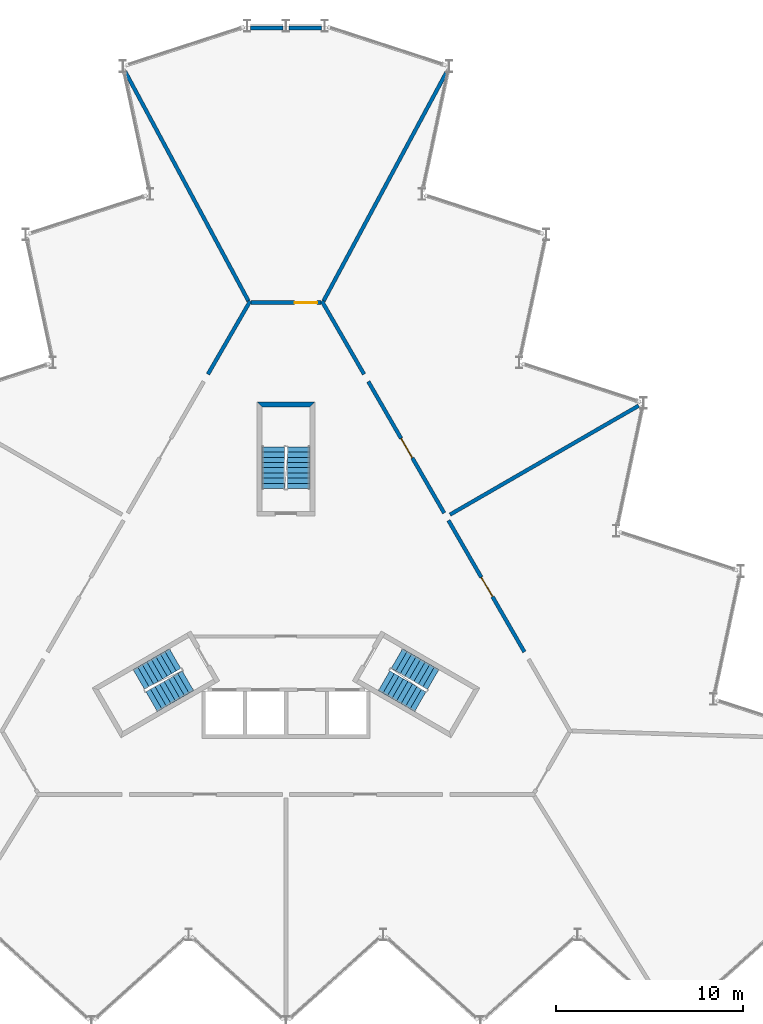
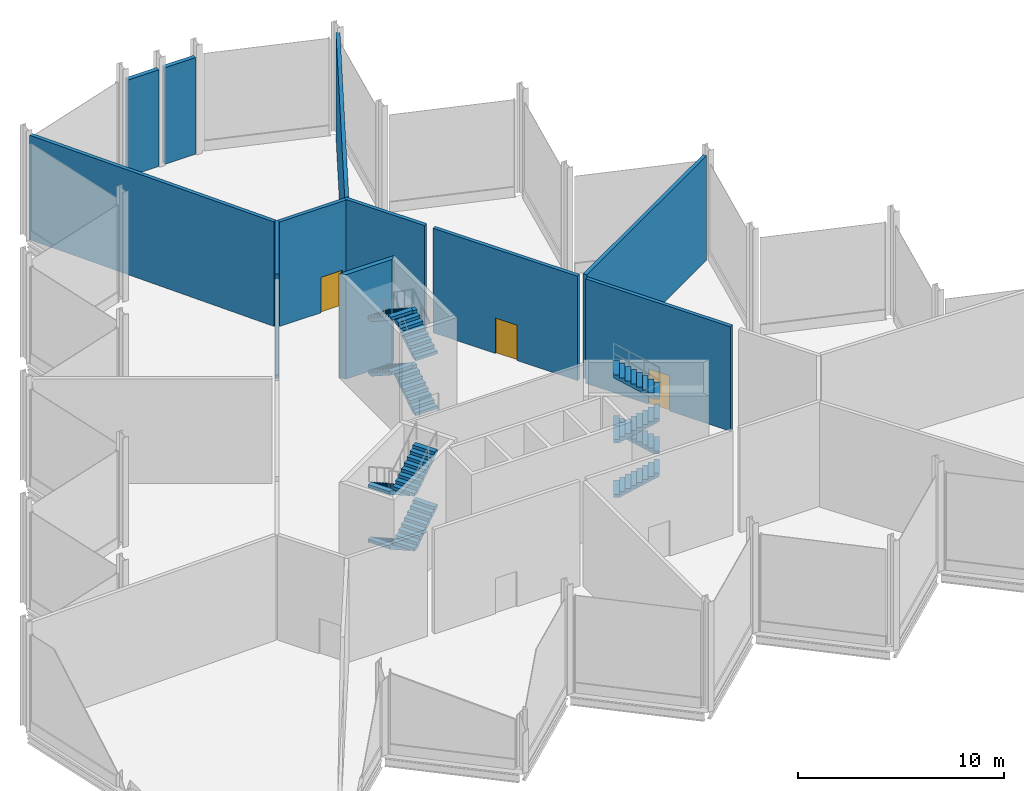
# One storey, part 11 of 12: 12 stair flights, 11 walls, 3 doors, 3 openings, 3 elements without a shape of their own.
"""IFC4 building model written with IfcOpenShell, lengths in metres."""

from ifc_helpers import new_model, si_unit, direction, frame, frame_2d, origin, place, context, subcontext, project, spatial, polyline, rectangle, outline, extrude, material, layer, layer_set, type_object, element, fill, aggregate, save


model = new_model("IFC4")

# Units and contexts
model_context = context("Model", 3, precision=1e-05, world=origin(), true_north=direction((0.0, 1.0)))
body_context = subcontext(model_context, "Body", "Model", "MODEL_VIEW")
ifc_project = project(units=[si_unit("LENGTHUNIT", "METRE"), si_unit("AREAUNIT", "SQUARE_METRE"), si_unit("VOLUMEUNIT", "CUBIC_METRE"), si_unit("PLANEANGLEUNIT", "RADIAN"), si_unit("MASSUNIT", "GRAM", prefix="KILO")], contexts=[model_context])

# Site, building, storey
site_placement = place(None, origin())
site = spatial("IfcSite", under=ifc_project, at=site_placement, CompositionType="ELEMENT")
building_placement = place(site_placement, origin())
building = spatial("IfcBuilding", under=site, at=building_placement, Name="Cormorant Prow Tower", CompositionType="ELEMENT")
storey_placement = place(building_placement, frame((0.0, 0.0, 421.699951171875)))
storey = spatial("IfcBuildingStorey", under=building, at=storey_placement, Name="L95", CompositionType="ELEMENT", Elevation=421.699951171875)

# Wall, opening, door
ifc_material_1 = material(Name="Gypsum board corridor wall")
ifc_layer_1 = layer(ifc_material_1, 0.199951171875)
ifc_layer_set_1 = layer_set([ifc_layer_1], Name="Gypsum board corridor wall")
wall_type_1 = type_object("IfcWallType", Name="Corridor wall 200", PredefinedType="PARTITIONING", material=ifc_layer_set_1)
wall_1_placement = place(storey_placement, frame((4.403076171875, 12.184814453125, 0.0), z_axis=(0.0, 0.0, 1.0), x_axis=(0.499992155518, -0.866029932751, 0.0)))
wall_1 = element("IfcWall", 1, at=wall_1_placement, inside=storey, type_object=wall_type_1, Name="Corridor wall", PredefinedType="PARTITIONING", context=body_context, shape_type="SweptSolid", body=[
    extrude(rectangle(XDim=8.123291015625, YDim=0.199951171875, at=frame_2d((4.0615234375, 0.0))), origin(), (0.0, 0.0, 1.0), 6.199951171875),
])
opening_1_placement = place(wall_1_placement, frame((3.511962890625, 0.0, 0.0)))
opening_1 = element("IfcOpeningElement", 2, at=opening_1_placement, cuts=wall_1, Name="Opening L95-F08", PredefinedType="OPENING", context=body_context, shape_type="SweptSolid", body=[
    extrude(rectangle(XDim=1.199951171875, YDim=2.10009765625, at=frame_2d((0.60009765625, 1.050048828125))), frame((0.0, 0.10986328125, 0.0), z_axis=(0.0, -1.0, 0.0), x_axis=(1.0, 0.0, 0.0)), (0.0, 0.0, 1.0), 0.219970703125),
])
ifc_material_2 = material(Name="Timber door leaf", Category="wood")
door_type = type_object("IfcDoorType", Name="Plant room door 1200x2100", OperationType="NOTDEFINED", PredefinedType="DOOR", material=ifc_material_2)
door_1_placement = place(opening_1_placement, origin())
door_1 = element("IfcDoor", 3, at=door_1_placement, inside=storey, type_object=door_type, Name="Water tank room door", OperationType="SINGLE_SWING_LEFT", OverallHeight=2.10009765625, OverallWidth=1.199951171875, PredefinedType="DOOR", context=body_context, shape_type="SweptSolid", body=[
    extrude(rectangle(XDim=1.199951171875, YDim=2.10009765625, at=frame_2d((0.60009765625, 1.050048828125))), frame((0.0, 0.02490234375, 0.0), z_axis=(0.0, -1.0, 0.0), x_axis=(1.0, 0.0, 0.0)), (0.0, 0.0, 1.0), 0.050048828125),
])
fill(opening_1, door_1)

wall_2_placement = place(storey_placement, frame((8.692138671875, 4.755859375, 0.0), z_axis=(0.0, 0.0, 1.0), x_axis=(0.500001682468, -0.866024432409, 0.0)))
wall_2 = element("IfcWall", 4, at=wall_2_placement, inside=storey, type_object=wall_type_1, Name="Corridor wall", PredefinedType="PARTITIONING", context=body_context, shape_type="SweptSolid", body=[
    extrude(rectangle(XDim=8.12353515625, YDim=0.199951171875, at=frame_2d((4.061767578125, 0.0))), origin(), (0.0, 0.0, 1.0), 6.199951171875),
])
opening_2_placement = place(wall_2_placement, frame((3.511962890625, 0.0, 0.0)))
opening_2 = element("IfcOpeningElement", 5, at=opening_2_placement, cuts=wall_2, Name="Opening L95-F06", PredefinedType="OPENING", context=body_context, shape_type="SweptSolid", body=[
    extrude(rectangle(XDim=1.199951171875, YDim=2.10009765625, at=frame_2d((0.60009765625, 1.050048828125))), frame((0.0, 0.10986328125, 0.0), z_axis=(0.0, -1.0, 0.0), x_axis=(1.0, 0.0, 0.0)), (0.0, 0.0, 1.0), 0.219970703125),
])
door_2_placement = place(opening_2_placement, origin())
door_2 = element("IfcDoor", 6, at=door_2_placement, inside=storey, type_object=door_type, Name="Damper plant room door", OperationType="SINGLE_SWING_RIGHT", OverallHeight=2.10009765625, OverallWidth=1.199951171875, PredefinedType="DOOR", context=body_context, shape_type="SweptSolid", body=[
    extrude(rectangle(XDim=1.199951171875, YDim=2.10009765625, at=frame_2d((0.60009765625, 1.050048828125))), frame((0.0, 0.02490234375, 0.0), z_axis=(0.0, -1.0, 0.0), x_axis=(1.0, 0.0, 0.0)), (0.0, 0.0, 1.0), 0.050048828125),
])
fill(opening_2, door_2)

# Walls
for number, where, z_axis, x_axis, name in (
    (7, (1.9130859375, 16.497802734375, 0.0), (0.0, 0.0, 1.0), (0.499974648164, -0.866040040179, 0.0), "Corridor wall"),
    (8, (-4.175537109375, 12.578857421875, 0.0), (0.0, 0.0, 1.0), (0.499974648164, 0.866040040179, 0.0), "Corridor wall"),
):
    element("IfcWall", number, at=place(storey_placement, frame(where, z_axis=z_axis, x_axis=x_axis)), inside=storey, type_object=wall_type_1, Name=name, PredefinedType="PARTITIONING", context=body_context, shape_type="SweptSolid", body=[
        extrude(rectangle(XDim=4.525146484375, YDim=0.199951171875, at=frame_2d((2.2626953125, 0.0))), origin(), (0.0, 0.0, 1.0), 6.199951171875),
    ])

# Wall, opening, door
wall_3_placement = place(storey_placement, frame((-1.863037109375, 16.4111328125, 0.0), z_axis=(0.0, 0.0, 1.0), x_axis=(1.0, 0.0, 0.0)))
wall_3 = element("IfcWall", 9, at=wall_3_placement, inside=storey, type_object=wall_type_1, Name="Corridor wall", PredefinedType="PARTITIONING", context=body_context, shape_type="SweptSolid", body=[
    extrude(rectangle(XDim=3.72607421875, YDim=0.199951171875, at=frame_2d((1.863037109375, 0.0))), origin(), (0.0, 0.0, 1.0), 6.199951171875),
])
opening_3_placement = place(wall_3_placement, frame((2.324951171875, 0.0, 0.0)))
opening_3 = element("IfcOpeningElement", 10, at=opening_3_placement, cuts=wall_3, Name="Opening L95-F09", PredefinedType="OPENING", context=body_context, shape_type="SweptSolid", body=[
    extrude(rectangle(XDim=1.199951171875, YDim=2.10009765625, at=frame_2d((0.60009765625, 1.050048828125))), frame((0.0, 0.10986328125, 0.0), z_axis=(0.0, -1.0, 0.0), x_axis=(1.0, 0.0, 0.0)), (0.0, 0.0, 1.0), 0.219970703125),
])
door_3_placement = place(opening_3_placement, origin())
door_3 = element("IfcDoor", 11, at=door_3_placement, inside=storey, type_object=door_type, Name="Electrical switch room door", OperationType="SINGLE_SWING_RIGHT", OverallHeight=2.10009765625, OverallWidth=1.199951171875, PredefinedType="DOOR", context=body_context, shape_type="SweptSolid", body=[
    extrude(rectangle(XDim=1.199951171875, YDim=2.10009765625, at=frame_2d((0.60009765625, 1.050048828125))), frame((0.0, 0.02490234375, 0.0), z_axis=(0.0, -1.0, 0.0), x_axis=(1.0, 0.0, 0.0)), (0.0, 0.0, 1.0), 0.050048828125),
])
fill(opening_3, door_3)

# Walls
ifc_material_3 = material(Name="Gypsum board demising wall")
ifc_layer_2 = layer(ifc_material_3, 0.199951171875)
ifc_layer_set_2 = layer_set([ifc_layer_2], Name="Gypsum board demising wall")
wall_type_2 = type_object("IfcWallType", Name="Demising wall 200", PredefinedType="PARTITIONING", material=ifc_layer_set_2)
for number, where, z_axis, x_axis, name in (
    (12, (-8.618896484375, 28.797119140625, 0.0), (0.0, 0.0, 1.0), (0.473341524228, -0.880878993643, 0.0), "Demising wall"),
    (13, (2.010498046875, 16.4990234375, 0.0), (0.0, 0.0, 1.0), (0.473341524228, 0.880878993643, 0.0), "Demising wall"),
):
    element("IfcWall", number, at=place(storey_placement, frame(where, z_axis=z_axis, x_axis=x_axis)), inside=storey, type_object=wall_type_2, Name=name, PredefinedType="PARTITIONING", context=body_context, shape_type="SweptSolid", body=[
        extrude(rectangle(XDim=13.961181640625, YDim=0.199951171875, at=frame_2d((6.98046875, 0.0))), origin(), (0.0, 0.0, 1.0), 6.199951171875),
    ])
wall_4_placement = place(storey_placement, frame((8.775390625, 5.06640625, 0.0), z_axis=(0.0, 0.0, 1.0), x_axis=(0.866023724155, 0.500002909193, 0.0)))
element("IfcWall", 14, at=wall_4_placement, inside=storey, type_object=wall_type_2, Name="Demising wall", PredefinedType="PARTITIONING", context=body_context, shape_type="SweptSolid", body=[
    extrude(rectangle(XDim=11.65478515625, YDim=0.199951171875, at=frame_2d((5.827392578125, 0.0))), origin(), (0.0, 0.0, 1.0), 6.199951171875),
])
ifc_material_4 = material(Name="Concrete 8000 psi", Category="concrete")
ifc_layer_3 = layer(ifc_material_4, 0.25)
ifc_layer_set_3 = layer_set([ifc_layer_3], Name="Concrete 8000 psi")
wall_type_3 = type_object("IfcWallType", Name="Stair wall 250", PredefinedType="SHEAR", material=ifc_layer_set_3)
wall_5_placement = place(storey_placement, origin())
element("IfcWall", 15, at=wall_5_placement, inside=storey, type_object=wall_type_3, Name="Stair ST3 enclosure wall (end)", PredefinedType="SHEAR", context=body_context, shape_type="SweptSolid", body=[
    extrude(outline(polyline([(1.5439453125, 11.0869140625), (-1.5439453125, 11.0869140625), (-1.2939453125, 10.8369140625), (1.2939453125, 10.8369140625), (1.5439453125, 11.0869140625)])), origin(), (0.0, 0.0, 1.0), 6.199951171875),
])
ifc_material_5 = material(Name="Terracotta", Category="masonry")
ifc_layer_4 = layer(ifc_material_5, 0.22998046875)
ifc_layer_set_4 = layer_set([ifc_layer_4], Name="Terracotta")
wall_type_4 = type_object("IfcWallType", Name="Terracotta crown cladding wall 230", PredefinedType="SOLIDWALL", material=ifc_layer_set_4)
for number, where, z_axis, x_axis, name in (
    (16, (1.91064453125, 31.1044921875, 0.0), (0.0, 0.0, 1.0), (-1.0, 0.0, 0.0), "Terracotta crown wall N00"),
    (17, (-0.163330078125, 31.1044921875, 0.0), (0.0, 0.0, 1.0), (-1.0, 0.0, 0.0), "Terracotta crown wall N01"),
):
    element("IfcWall", number, at=place(storey_placement, frame(where, z_axis=z_axis, x_axis=x_axis)), inside=storey, type_object=wall_type_4, Name=name, PredefinedType="SOLIDWALL", context=body_context, shape_type="SweptSolid", body=[
        extrude(rectangle(XDim=1.747314453125, YDim=0.22998046875, at=frame_2d((0.87353515625, 0.0))), origin(), (0.0, 0.0, 1.0), 5.73388671875),
    ])

# Stair, stair flights
ifc_material_6 = material(Name="Exit stair 36 risers")
stair_type = type_object("IfcStairType", Name="Exit stair 36 risers", PredefinedType="HALF_TURN_STAIR", material=ifc_material_6)
stair_1_placement = place(storey_placement, origin())
stair_1 = element("IfcStair", 18, at=stair_1_placement, inside=storey, type_object=stair_type, Name="L95 Exit stair ST1", PredefinedType="HALF_TURN_STAIR")
ifc_material_7 = material(Name="Concrete 5000 psi", Category="concrete")
stair_flight_type = type_object("IfcStairFlightType", Name="Stair flight 1219", PredefinedType="STRAIGHT", material=ifc_material_7)
stair_flight_1_placement = place(storey_placement, frame((-5.93310546875, -2.635009765625, 0.0), z_axis=(0.0, 0.0, 1.0), x_axis=(-0.866025403784, -0.5, 0.0)))
stair_flight_1 = element("IfcStairFlight", 19, at=stair_flight_1_placement, type_object=stair_flight_type, Name="ST1 flight 1", NumberOfRisers=9, NumberOfTreads=8, PredefinedType="STRAIGHT", RiserHeight=0.180555556, TreadLength=0.28, context=body_context, shape_type="SweptSolid", body=[
    extrude(outline(polyline([(0.0, 0.0), (0.0, 0.1806640625), (0.280029296875, 0.1806640625), (0.280029296875, 0.361083984375), (0.56005859375, 0.361083984375), (0.56005859375, 0.541748046875), (0.840087890625, 0.541748046875), (0.840087890625, 0.72216796875), (1.1201171875, 0.72216796875), (1.1201171875, 0.90283203125), (1.39990234375, 0.90283203125), (1.39990234375, 1.083251953125), (1.679931640625, 1.083251953125), (1.679931640625, 1.263916015625), (1.9599609375, 1.263916015625), (1.9599609375, 1.4443359375), (2.239990234375, 1.4443359375), (2.239990234375, 1.625), (2.239990234375, 1.26611328125), (0.276611328125, 0.0), (0.0, 0.0)])), frame((0.0, 0.609375, 0.0), z_axis=(0.0, -1.0, 0.0), x_axis=(1.0, 0.0, 0.0)), (0.0, 0.0, 1.0), 1.218994140625),
])
stair_flight_2_placement = place(storey_placement, frame((-7.1884765625, -4.940673828125, 1.625), z_axis=(0.0, 0.0, 1.0), x_axis=(0.866025403784, 0.5, 0.0)))
stair_flight_2 = element("IfcStairFlight", 20, at=stair_flight_2_placement, type_object=stair_flight_type, Name="ST1 flight 2", NumberOfRisers=9, NumberOfTreads=8, PredefinedType="STRAIGHT", RiserHeight=0.180555556, TreadLength=0.28, context=body_context, shape_type="SweptSolid", body=[
    extrude(outline(polyline([(0.0, 0.0), (0.0, 0.1806640625), (0.280029296875, 0.1806640625), (0.280029296875, 0.361083984375), (0.56005859375, 0.361083984375), (0.56005859375, 0.541748046875), (0.840087890625, 0.541748046875), (0.840087890625, 0.72216796875), (1.1201171875, 0.72216796875), (1.1201171875, 0.90283203125), (1.39990234375, 0.90283203125), (1.39990234375, 1.083251953125), (1.679931640625, 1.083251953125), (1.679931640625, 1.263916015625), (1.9599609375, 1.263916015625), (1.9599609375, 1.4443359375), (2.239990234375, 1.4443359375), (2.239990234375, 1.625), (2.239990234375, 1.26611328125), (0.276611328125, 0.0), (0.0, 0.0)])), frame((0.0, 0.609375, 0.0), z_axis=(0.0, -1.0, 0.0), x_axis=(1.0, 0.0, 0.0)), (0.0, 0.0, 1.0), 1.218994140625),
])
stair_flight_3_placement = place(storey_placement, frame((-5.93310546875, -2.635009765625, 3.25), z_axis=(0.0, 0.0, 1.0), x_axis=(-0.866025403784, -0.5, 0.0)))
stair_flight_3 = element("IfcStairFlight", 21, at=stair_flight_3_placement, type_object=stair_flight_type, Name="ST1 flight 3", NumberOfRisers=9, NumberOfTreads=8, PredefinedType="STRAIGHT", RiserHeight=0.180555556, TreadLength=0.28, context=body_context, shape_type="SweptSolid", body=[
    extrude(outline(polyline([(0.0, 0.0), (0.0, 0.1806640625), (0.280029296875, 0.1806640625), (0.280029296875, 0.361083984375), (0.56005859375, 0.361083984375), (0.56005859375, 0.541748046875), (0.840087890625, 0.541748046875), (0.840087890625, 0.72216796875), (1.1201171875, 0.72216796875), (1.1201171875, 0.90283203125), (1.39990234375, 0.90283203125), (1.39990234375, 1.083251953125), (1.679931640625, 1.083251953125), (1.679931640625, 1.263916015625), (1.9599609375, 1.263916015625), (1.9599609375, 1.4443359375), (2.239990234375, 1.4443359375), (2.239990234375, 1.625), (2.239990234375, 1.26611328125), (0.276611328125, 0.0), (0.0, 0.0)])), frame((0.0, 0.609375, 0.0), z_axis=(0.0, -1.0, 0.0), x_axis=(1.0, 0.0, 0.0)), (0.0, 0.0, 1.0), 1.218994140625),
])
stair_flight_4_placement = place(storey_placement, frame((-7.1884765625, -4.940673828125, 4.875), z_axis=(0.0, 0.0, 1.0), x_axis=(0.866025403784, 0.5, 0.0)))
stair_flight_4 = element("IfcStairFlight", 22, at=stair_flight_4_placement, type_object=stair_flight_type, Name="ST1 flight 4", NumberOfRisers=9, NumberOfTreads=8, PredefinedType="STRAIGHT", RiserHeight=0.180555556, TreadLength=0.28, context=body_context, shape_type="SweptSolid", body=[
    extrude(outline(polyline([(0.0, 0.0), (0.0, 0.1806640625), (0.280029296875, 0.1806640625), (0.280029296875, 0.361083984375), (0.56005859375, 0.361083984375), (0.56005859375, 0.541748046875), (0.840087890625, 0.541748046875), (0.840087890625, 0.72216796875), (1.1201171875, 0.72216796875), (1.1201171875, 0.90283203125), (1.39990234375, 0.90283203125), (1.39990234375, 1.083251953125), (1.679931640625, 1.083251953125), (1.679931640625, 1.263916015625), (1.9599609375, 1.263916015625), (1.9599609375, 1.4443359375), (2.239990234375, 1.4443359375), (2.239990234375, 1.625), (2.239990234375, 1.26611328125), (0.276611328125, 0.0), (0.0, 0.0)])), frame((0.0, 0.609375, 0.0), z_axis=(0.0, -1.0, 0.0), x_axis=(1.0, 0.0, 0.0)), (0.0, 0.0, 1.0), 1.218994140625),
])
aggregate(stair_1, [stair_flight_1, stair_flight_2, stair_flight_3, stair_flight_4])

stair_2_placement = place(storey_placement, origin())
stair_2 = element("IfcStair", 23, at=stair_2_placement, inside=storey, type_object=stair_type, Name="L95 Exit stair ST2", PredefinedType="HALF_TURN_STAIR")
stair_flight_5_placement = place(storey_placement, frame((5.24853515625, -3.82080078125, 0.0), z_axis=(0.0, 0.0, 1.0), x_axis=(0.866025403784, -0.5, 0.0)))
stair_flight_5 = element("IfcStairFlight", 24, at=stair_flight_5_placement, type_object=stair_flight_type, Name="ST2 flight 1", NumberOfRisers=9, NumberOfTreads=8, PredefinedType="STRAIGHT", RiserHeight=0.180555556, TreadLength=0.28, context=body_context, shape_type="SweptSolid", body=[
    extrude(outline(polyline([(0.0, 0.0), (0.0, 0.1806640625), (0.280029296875, 0.1806640625), (0.280029296875, 0.361083984375), (0.56005859375, 0.361083984375), (0.56005859375, 0.541748046875), (0.840087890625, 0.541748046875), (0.840087890625, 0.72216796875), (1.1201171875, 0.72216796875), (1.1201171875, 0.90283203125), (1.39990234375, 0.90283203125), (1.39990234375, 1.083251953125), (1.679931640625, 1.083251953125), (1.679931640625, 1.263916015625), (1.9599609375, 1.263916015625), (1.9599609375, 1.4443359375), (2.239990234375, 1.4443359375), (2.239990234375, 1.625), (2.239990234375, 1.26611328125), (0.276611328125, 0.0), (0.0, 0.0)])), frame((0.0, 0.609375, 0.0), z_axis=(0.0, -1.0, 0.0), x_axis=(1.0, 0.0, 0.0)), (0.0, 0.0, 1.0), 1.218994140625),
])
stair_flight_6_placement = place(storey_placement, frame((7.873046875, -3.755126953125, 1.625), z_axis=(0.0, 0.0, 1.0), x_axis=(-0.866025403784, 0.5, 0.0)))
stair_flight_6 = element("IfcStairFlight", 25, at=stair_flight_6_placement, type_object=stair_flight_type, Name="ST2 flight 2", NumberOfRisers=9, NumberOfTreads=8, PredefinedType="STRAIGHT", RiserHeight=0.180555556, TreadLength=0.28, context=body_context, shape_type="SweptSolid", body=[
    extrude(outline(polyline([(0.0, 0.0), (0.0, 0.1806640625), (0.280029296875, 0.1806640625), (0.280029296875, 0.361083984375), (0.56005859375, 0.361083984375), (0.56005859375, 0.541748046875), (0.840087890625, 0.541748046875), (0.840087890625, 0.72216796875), (1.1201171875, 0.72216796875), (1.1201171875, 0.90283203125), (1.39990234375, 0.90283203125), (1.39990234375, 1.083251953125), (1.679931640625, 1.083251953125), (1.679931640625, 1.263916015625), (1.9599609375, 1.263916015625), (1.9599609375, 1.4443359375), (2.239990234375, 1.4443359375), (2.239990234375, 1.625), (2.239990234375, 1.26611328125), (0.276611328125, 0.0), (0.0, 0.0)])), frame((0.0, 0.609375, 0.0), z_axis=(0.0, -1.0, 0.0), x_axis=(1.0, 0.0, 0.0)), (0.0, 0.0, 1.0), 1.218994140625),
])
stair_flight_7_placement = place(storey_placement, frame((5.24853515625, -3.82080078125, 3.25), z_axis=(0.0, 0.0, 1.0), x_axis=(0.866025403784, -0.5, 0.0)))
stair_flight_7 = element("IfcStairFlight", 26, at=stair_flight_7_placement, type_object=stair_flight_type, Name="ST2 flight 3", NumberOfRisers=9, NumberOfTreads=8, PredefinedType="STRAIGHT", RiserHeight=0.180555556, TreadLength=0.28, context=body_context, shape_type="SweptSolid", body=[
    extrude(outline(polyline([(0.0, 0.0), (0.0, 0.1806640625), (0.280029296875, 0.1806640625), (0.280029296875, 0.361083984375), (0.56005859375, 0.361083984375), (0.56005859375, 0.541748046875), (0.840087890625, 0.541748046875), (0.840087890625, 0.72216796875), (1.1201171875, 0.72216796875), (1.1201171875, 0.90283203125), (1.39990234375, 0.90283203125), (1.39990234375, 1.083251953125), (1.679931640625, 1.083251953125), (1.679931640625, 1.263916015625), (1.9599609375, 1.263916015625), (1.9599609375, 1.4443359375), (2.239990234375, 1.4443359375), (2.239990234375, 1.625), (2.239990234375, 1.26611328125), (0.276611328125, 0.0), (0.0, 0.0)])), frame((0.0, 0.609375, 0.0), z_axis=(0.0, -1.0, 0.0), x_axis=(1.0, 0.0, 0.0)), (0.0, 0.0, 1.0), 1.218994140625),
])
stair_flight_8_placement = place(storey_placement, frame((7.873046875, -3.755126953125, 4.875), z_axis=(0.0, 0.0, 1.0), x_axis=(-0.866025403784, 0.5, 0.0)))
stair_flight_8 = element("IfcStairFlight", 27, at=stair_flight_8_placement, type_object=stair_flight_type, Name="ST2 flight 4", NumberOfRisers=9, NumberOfTreads=8, PredefinedType="STRAIGHT", RiserHeight=0.180555556, TreadLength=0.28, context=body_context, shape_type="SweptSolid", body=[
    extrude(outline(polyline([(0.0, 0.0), (0.0, 0.1806640625), (0.280029296875, 0.1806640625), (0.280029296875, 0.361083984375), (0.56005859375, 0.361083984375), (0.56005859375, 0.541748046875), (0.840087890625, 0.541748046875), (0.840087890625, 0.72216796875), (1.1201171875, 0.72216796875), (1.1201171875, 0.90283203125), (1.39990234375, 0.90283203125), (1.39990234375, 1.083251953125), (1.679931640625, 1.083251953125), (1.679931640625, 1.263916015625), (1.9599609375, 1.263916015625), (1.9599609375, 1.4443359375), (2.239990234375, 1.4443359375), (2.239990234375, 1.625), (2.239990234375, 1.26611328125), (0.276611328125, 0.0), (0.0, 0.0)])), frame((0.0, 0.609375, 0.0), z_axis=(0.0, -1.0, 0.0), x_axis=(1.0, 0.0, 0.0)), (0.0, 0.0, 1.0), 1.218994140625),
])
aggregate(stair_2, [stair_flight_5, stair_flight_6, stair_flight_7, stair_flight_8])

stair_3_placement = place(storey_placement, origin())
stair_3 = element("IfcStair", 28, at=stair_3_placement, inside=storey, type_object=stair_type, Name="L95 Exit stair ST3", PredefinedType="HALF_TURN_STAIR")
stair_flight_9_placement = place(storey_placement, frame((0.6845703125, 6.455810546875, 0.0), z_axis=(0.0, 0.0, 1.0), x_axis=(0.0, 1.0, 0.0)))
stair_flight_9 = element("IfcStairFlight", 29, at=stair_flight_9_placement, type_object=stair_flight_type, Name="ST3 flight 1", NumberOfRisers=9, NumberOfTreads=8, PredefinedType="STRAIGHT", RiserHeight=0.180555556, TreadLength=0.28, context=body_context, shape_type="SweptSolid", body=[
    extrude(outline(polyline([(0.0, 0.0), (0.0, 0.1806640625), (0.280029296875, 0.1806640625), (0.280029296875, 0.361083984375), (0.56005859375, 0.361083984375), (0.56005859375, 0.541748046875), (0.840087890625, 0.541748046875), (0.840087890625, 0.72216796875), (1.1201171875, 0.72216796875), (1.1201171875, 0.90283203125), (1.39990234375, 0.90283203125), (1.39990234375, 1.083251953125), (1.679931640625, 1.083251953125), (1.679931640625, 1.263916015625), (1.9599609375, 1.263916015625), (1.9599609375, 1.4443359375), (2.239990234375, 1.4443359375), (2.239990234375, 1.625), (2.239990234375, 1.26611328125), (0.276611328125, 0.0), (0.0, 0.0)])), frame((0.0, 0.609375, 0.0), z_axis=(0.0, -1.0, 0.0), x_axis=(1.0, 0.0, 0.0)), (0.0, 0.0, 1.0), 1.218994140625),
])
stair_flight_10_placement = place(storey_placement, frame((-0.6845703125, 8.69580078125, 1.625), z_axis=(0.0, 0.0, 1.0), x_axis=(0.0, -1.0, 0.0)))
stair_flight_10 = element("IfcStairFlight", 30, at=stair_flight_10_placement, type_object=stair_flight_type, Name="ST3 flight 2", NumberOfRisers=9, NumberOfTreads=8, PredefinedType="STRAIGHT", RiserHeight=0.180555556, TreadLength=0.28, context=body_context, shape_type="SweptSolid", body=[
    extrude(outline(polyline([(0.0, 0.0), (0.0, 0.1806640625), (0.280029296875, 0.1806640625), (0.280029296875, 0.361083984375), (0.56005859375, 0.361083984375), (0.56005859375, 0.541748046875), (0.840087890625, 0.541748046875), (0.840087890625, 0.72216796875), (1.1201171875, 0.72216796875), (1.1201171875, 0.90283203125), (1.39990234375, 0.90283203125), (1.39990234375, 1.083251953125), (1.679931640625, 1.083251953125), (1.679931640625, 1.263916015625), (1.9599609375, 1.263916015625), (1.9599609375, 1.4443359375), (2.239990234375, 1.4443359375), (2.239990234375, 1.625), (2.239990234375, 1.26611328125), (0.276611328125, 0.0), (0.0, 0.0)])), frame((0.0, 0.609375, 0.0), z_axis=(0.0, -1.0, 0.0), x_axis=(1.0, 0.0, 0.0)), (0.0, 0.0, 1.0), 1.218994140625),
])
stair_flight_11_placement = place(storey_placement, frame((0.6845703125, 6.455810546875, 3.25), z_axis=(0.0, 0.0, 1.0), x_axis=(0.0, 1.0, 0.0)))
stair_flight_11 = element("IfcStairFlight", 31, at=stair_flight_11_placement, type_object=stair_flight_type, Name="ST3 flight 3", NumberOfRisers=9, NumberOfTreads=8, PredefinedType="STRAIGHT", RiserHeight=0.180555556, TreadLength=0.28, context=body_context, shape_type="SweptSolid", body=[
    extrude(outline(polyline([(0.0, 0.0), (0.0, 0.1806640625), (0.280029296875, 0.1806640625), (0.280029296875, 0.361083984375), (0.56005859375, 0.361083984375), (0.56005859375, 0.541748046875), (0.840087890625, 0.541748046875), (0.840087890625, 0.72216796875), (1.1201171875, 0.72216796875), (1.1201171875, 0.90283203125), (1.39990234375, 0.90283203125), (1.39990234375, 1.083251953125), (1.679931640625, 1.083251953125), (1.679931640625, 1.263916015625), (1.9599609375, 1.263916015625), (1.9599609375, 1.4443359375), (2.239990234375, 1.4443359375), (2.239990234375, 1.625), (2.239990234375, 1.26611328125), (0.276611328125, 0.0), (0.0, 0.0)])), frame((0.0, 0.609375, 0.0), z_axis=(0.0, -1.0, 0.0), x_axis=(1.0, 0.0, 0.0)), (0.0, 0.0, 1.0), 1.218994140625),
])
stair_flight_12_placement = place(storey_placement, frame((-0.6845703125, 8.69580078125, 4.875), z_axis=(0.0, 0.0, 1.0), x_axis=(0.0, -1.0, 0.0)))
stair_flight_12 = element("IfcStairFlight", 32, at=stair_flight_12_placement, type_object=stair_flight_type, Name="ST3 flight 4", NumberOfRisers=9, NumberOfTreads=8, PredefinedType="STRAIGHT", RiserHeight=0.180555556, TreadLength=0.28, context=body_context, shape_type="SweptSolid", body=[
    extrude(outline(polyline([(0.0, 0.0), (0.0, 0.1806640625), (0.280029296875, 0.1806640625), (0.280029296875, 0.361083984375), (0.56005859375, 0.361083984375), (0.56005859375, 0.541748046875), (0.840087890625, 0.541748046875), (0.840087890625, 0.72216796875), (1.1201171875, 0.72216796875), (1.1201171875, 0.90283203125), (1.39990234375, 0.90283203125), (1.39990234375, 1.083251953125), (1.679931640625, 1.083251953125), (1.679931640625, 1.263916015625), (1.9599609375, 1.263916015625), (1.9599609375, 1.4443359375), (2.239990234375, 1.4443359375), (2.239990234375, 1.625), (2.239990234375, 1.26611328125), (0.276611328125, 0.0), (0.0, 0.0)])), frame((0.0, 0.609375, 0.0), z_axis=(0.0, -1.0, 0.0), x_axis=(1.0, 0.0, 0.0)), (0.0, 0.0, 1.0), 1.218994140625),
])
aggregate(stair_3, [stair_flight_9, stair_flight_10, stair_flight_11, stair_flight_12])

save(model, "model.ifc")
